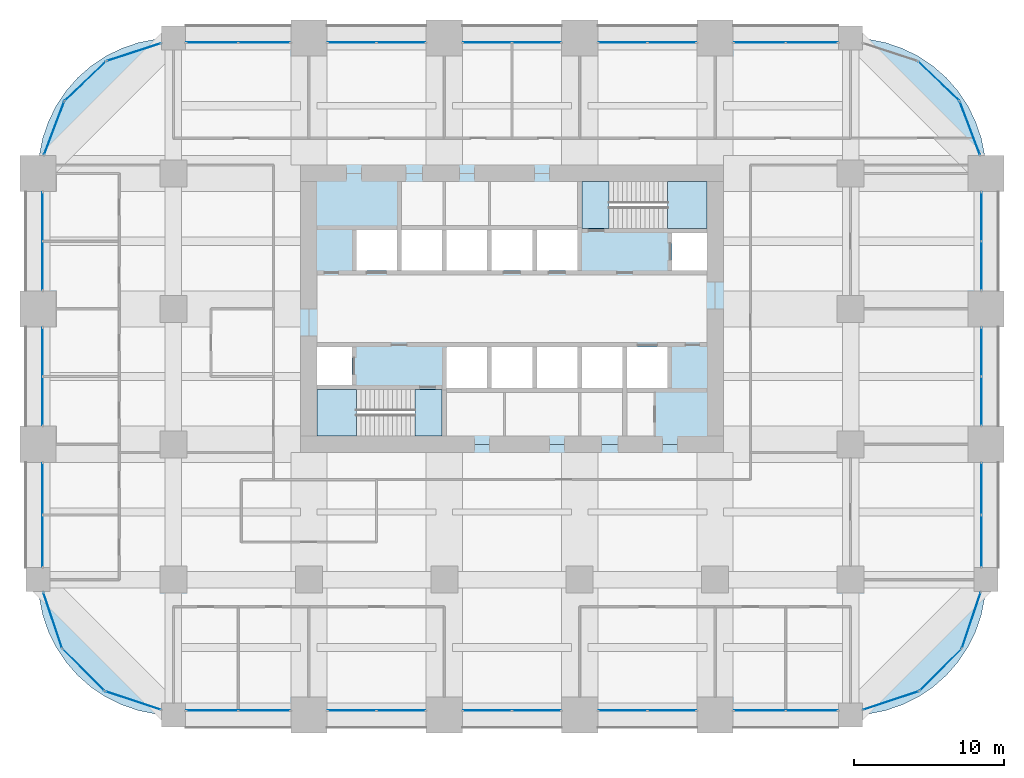
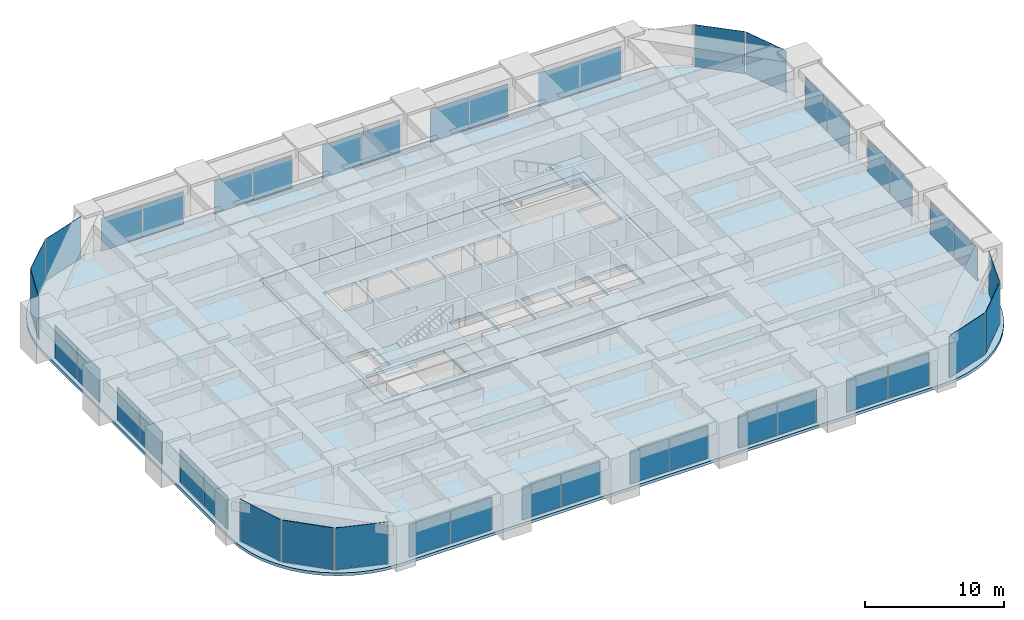
# One storey, part 37 of 43: 43 plates, 6 slabs, 29 elements without a shape of their own.
"""IFC4 building model written with IfcOpenShell, lengths in metres."""

from ifc_helpers import new_model, si_unit, direction, frame, origin, origin_2d, place, context, subcontext, project, spatial, polyline, rectangle, outline, extrude, material, layer, layer_set, type_object, element, aggregate, save


model = new_model("IFC4")

# Units and contexts
model_context = context("Model", 3, precision=1e-05, world=origin(), true_north=direction((0.0, 1.0)))
body_context = subcontext(model_context, "Body", "Model", "MODEL_VIEW")
ifc_project = project(units=[si_unit("LENGTHUNIT", "METRE"), si_unit("AREAUNIT", "SQUARE_METRE"), si_unit("VOLUMEUNIT", "CUBIC_METRE"), si_unit("PLANEANGLEUNIT", "RADIAN"), si_unit("MASSUNIT", "GRAM", prefix="KILO")], contexts=[model_context])

# Site, building, storey
site_placement = place(None, origin())
site = spatial("IfcSite", under=ifc_project, at=site_placement, CompositionType="ELEMENT")
building_placement = place(site_placement, origin())
building = spatial("IfcBuilding", under=site, at=building_placement, Name="Zorevar Civic Tower", CompositionType="ELEMENT")
storey_placement = place(building_placement, frame((0.0, 0.0, 145.0)))
storey = spatial("IfcBuildingStorey", under=building, at=storey_placement, Name="L35", CompositionType="ELEMENT", Elevation=145.0)

# Curtain wall, plates
ifc_material_1 = material(Name="Dark grey solar-control glass in black aluminium frame", Category="aluminium")
curtain_wall_type = type_object("IfcCurtainWallType", Name="Curtain wall CW3 mid zone", PredefinedType="NOTDEFINED", material=ifc_material_1)
curtain_wall_1_placement = place(storey_placement, origin())
curtain_wall_1 = element("IfcCurtainWall", 1, at=curtain_wall_1_placement, inside=storey, type_object=curtain_wall_type, Name="CW3 L35", PredefinedType="NOTDEFINED")
ifc_material_2 = material(Name="Dark grey solar-control glass", Category="glass")
ifc_layer_1 = layer(ifc_material_2, 0.030029296875)
ifc_layer_set_1 = layer_set([ifc_layer_1], Name="CW3 panel 30")
plate_type = type_object("IfcPlateType", Name="CW3 panel 30", PredefinedType="CURTAIN_PANEL", material=ifc_layer_set_1)
plate_1_placement = place(storey_placement, frame((11.56494140625, 0.300048828125, 0.06005859375), z_axis=(0.0, 0.0, 1.0), x_axis=(1.0, 0.0, 0.0)))
plate_1 = element("IfcPlate", 2, at=plate_1_placement, type_object=plate_type, Name="CW3 panel 1.1", PredefinedType="CURTAIN_PANEL", context=body_context, shape_type="SweptSolid", body=[
    extrude(rectangle(XDim=3.409912109375, YDim=0.030029296875, at=origin_2d()), origin(), (0.0, 0.0, 1.0), 2.889892578125),
])
plate_2_placement = place(storey_placement, frame((15.034912109375, 0.300048828125, 0.06005859375), z_axis=(0.0, 0.0, 1.0), x_axis=(1.0, 0.0, 0.0)))
plate_2 = element("IfcPlate", 3, at=plate_2_placement, type_object=plate_type, Name="CW3 panel 2.1", PredefinedType="CURTAIN_PANEL", context=body_context, shape_type="SweptSolid", body=[
    extrude(rectangle(XDim=3.409912109375, YDim=0.030029296875, at=origin_2d()), origin(), (0.0, 0.0, 1.0), 2.889892578125),
])
aggregate(curtain_wall_1, [plate_1, plate_2])

curtain_wall_2_placement = place(storey_placement, origin())
curtain_wall_2 = element("IfcCurtainWall", 4, at=curtain_wall_2_placement, inside=storey, type_object=curtain_wall_type, Name="CW3 L35", PredefinedType="NOTDEFINED")
plate_3_placement = place(storey_placement, frame((11.56494140625, 44.699951171875, 0.06005859375), z_axis=(0.0, 0.0, 1.0), x_axis=(1.0, 0.0, 0.0)))
plate_3 = element("IfcPlate", 5, at=plate_3_placement, type_object=plate_type, Name="CW3 panel 1.1", PredefinedType="CURTAIN_PANEL", context=body_context, shape_type="SweptSolid", body=[
    extrude(rectangle(XDim=3.409912109375, YDim=0.030029296875, at=origin_2d()), origin(), (0.0, 0.0, 1.0), 2.889892578125),
])
plate_4_placement = place(storey_placement, frame((15.034912109375, 44.699951171875, 0.06005859375), z_axis=(0.0, 0.0, 1.0), x_axis=(1.0, 0.0, 0.0)))
plate_4 = element("IfcPlate", 6, at=plate_4_placement, type_object=plate_type, Name="CW3 panel 2.1", PredefinedType="CURTAIN_PANEL", context=body_context, shape_type="SweptSolid", body=[
    extrude(rectangle(XDim=3.409912109375, YDim=0.030029296875, at=origin_2d()), origin(), (0.0, 0.0, 1.0), 2.889892578125),
])
aggregate(curtain_wall_2, [plate_3, plate_4])

curtain_wall_3_placement = place(storey_placement, origin())
curtain_wall_3 = element("IfcCurtainWall", 7, at=curtain_wall_3_placement, inside=storey, type_object=curtain_wall_type, Name="CW3 L35", PredefinedType="NOTDEFINED")
plate_5_placement = place(storey_placement, frame((20.864990234375, 0.300048828125, 0.06005859375), z_axis=(0.0, 0.0, 1.0), x_axis=(1.0, 0.0, 0.0)))
plate_5 = element("IfcPlate", 8, at=plate_5_placement, type_object=plate_type, Name="CW3 panel 1.1", PredefinedType="CURTAIN_PANEL", context=body_context, shape_type="SweptSolid", body=[
    extrude(rectangle(XDim=3.2099609375, YDim=0.030029296875, at=origin_2d()), origin(), (0.0, 0.0, 1.0), 2.889892578125),
])
plate_6_placement = place(storey_placement, frame((24.135009765625, 0.300048828125, 0.06005859375), z_axis=(0.0, 0.0, 1.0), x_axis=(1.0, 0.0, 0.0)))
plate_6 = element("IfcPlate", 9, at=plate_6_placement, type_object=plate_type, Name="CW3 panel 2.1", PredefinedType="CURTAIN_PANEL", context=body_context, shape_type="SweptSolid", body=[
    extrude(rectangle(XDim=3.2099609375, YDim=0.030029296875, at=origin_2d()), origin(), (0.0, 0.0, 1.0), 2.889892578125),
])
aggregate(curtain_wall_3, [plate_5, plate_6])

curtain_wall_4_placement = place(storey_placement, origin())
curtain_wall_4 = element("IfcCurtainWall", 10, at=curtain_wall_4_placement, inside=storey, type_object=curtain_wall_type, Name="CW3 L35", PredefinedType="NOTDEFINED")
plate_7_placement = place(storey_placement, frame((20.864990234375, 44.699951171875, 0.06005859375), z_axis=(0.0, 0.0, 1.0), x_axis=(1.0, 0.0, 0.0)))
plate_7 = element("IfcPlate", 11, at=plate_7_placement, type_object=plate_type, Name="CW3 panel 1.1", PredefinedType="CURTAIN_PANEL", context=body_context, shape_type="SweptSolid", body=[
    extrude(rectangle(XDim=3.2099609375, YDim=0.030029296875, at=origin_2d()), origin(), (0.0, 0.0, 1.0), 2.889892578125),
])
plate_8_placement = place(storey_placement, frame((24.135009765625, 44.699951171875, 0.06005859375), z_axis=(0.0, 0.0, 1.0), x_axis=(1.0, 0.0, 0.0)))
plate_8 = element("IfcPlate", 12, at=plate_8_placement, type_object=plate_type, Name="CW3 panel 2.1", PredefinedType="CURTAIN_PANEL", context=body_context, shape_type="SweptSolid", body=[
    extrude(rectangle(XDim=3.2099609375, YDim=0.030029296875, at=origin_2d()), origin(), (0.0, 0.0, 1.0), 2.889892578125),
])
aggregate(curtain_wall_4, [plate_7, plate_8])

curtain_wall_5_placement = place(storey_placement, origin())
curtain_wall_5 = element("IfcCurtainWall", 13, at=curtain_wall_5_placement, inside=storey, type_object=curtain_wall_type, Name="CW3 L35", PredefinedType="NOTDEFINED")
plate_9_placement = place(storey_placement, frame((29.864990234375, 0.300048828125, 0.06005859375), z_axis=(0.0, 0.0, 1.0), x_axis=(1.0, 0.0, 0.0)))
plate_9 = element("IfcPlate", 14, at=plate_9_placement, type_object=plate_type, Name="CW3 panel 1.1", PredefinedType="CURTAIN_PANEL", context=body_context, shape_type="SweptSolid", body=[
    extrude(rectangle(XDim=3.2099609375, YDim=0.030029296875, at=origin_2d()), origin(), (0.0, 0.0, 1.0), 2.889892578125),
])
plate_10_placement = place(storey_placement, frame((33.135009765625, 0.300048828125, 0.06005859375), z_axis=(0.0, 0.0, 1.0), x_axis=(1.0, 0.0, 0.0)))
plate_10 = element("IfcPlate", 15, at=plate_10_placement, type_object=plate_type, Name="CW3 panel 2.1", PredefinedType="CURTAIN_PANEL", context=body_context, shape_type="SweptSolid", body=[
    extrude(rectangle(XDim=3.2099609375, YDim=0.030029296875, at=origin_2d()), origin(), (0.0, 0.0, 1.0), 2.889892578125),
])
aggregate(curtain_wall_5, [plate_9, plate_10])

curtain_wall_6_placement = place(storey_placement, origin())
curtain_wall_6 = element("IfcCurtainWall", 16, at=curtain_wall_6_placement, inside=storey, type_object=curtain_wall_type, Name="CW3 L35", PredefinedType="NOTDEFINED")
plate_11_placement = place(storey_placement, frame((29.864990234375, 44.699951171875, 0.06005859375), z_axis=(0.0, 0.0, 1.0), x_axis=(1.0, 0.0, 0.0)))
plate_11 = element("IfcPlate", 17, at=plate_11_placement, type_object=plate_type, Name="CW3 panel 1.1", PredefinedType="CURTAIN_PANEL", context=body_context, shape_type="SweptSolid", body=[
    extrude(rectangle(XDim=3.2099609375, YDim=0.030029296875, at=origin_2d()), origin(), (0.0, 0.0, 1.0), 2.889892578125),
])
plate_12_placement = place(storey_placement, frame((33.135009765625, 44.699951171875, 0.06005859375), z_axis=(0.0, 0.0, 1.0), x_axis=(1.0, 0.0, 0.0)))
plate_12 = element("IfcPlate", 18, at=plate_12_placement, type_object=plate_type, Name="CW3 panel 2.1", PredefinedType="CURTAIN_PANEL", context=body_context, shape_type="SweptSolid", body=[
    extrude(rectangle(XDim=3.2099609375, YDim=0.030029296875, at=origin_2d()), origin(), (0.0, 0.0, 1.0), 2.889892578125),
])
aggregate(curtain_wall_6, [plate_11, plate_12])

curtain_wall_7_placement = place(storey_placement, origin())
curtain_wall_7 = element("IfcCurtainWall", 19, at=curtain_wall_7_placement, inside=storey, type_object=curtain_wall_type, Name="CW3 L35", PredefinedType="NOTDEFINED")
plate_13_placement = place(storey_placement, frame((38.864990234375, 0.300048828125, 0.06005859375), z_axis=(0.0, 0.0, 1.0), x_axis=(1.0, 0.0, 0.0)))
plate_13 = element("IfcPlate", 20, at=plate_13_placement, type_object=plate_type, Name="CW3 panel 1.1", PredefinedType="CURTAIN_PANEL", context=body_context, shape_type="SweptSolid", body=[
    extrude(rectangle(XDim=3.2099609375, YDim=0.030029296875, at=origin_2d()), origin(), (0.0, 0.0, 1.0), 2.889892578125),
])
plate_14_placement = place(storey_placement, frame((42.135009765625, 0.300048828125, 0.06005859375), z_axis=(0.0, 0.0, 1.0), x_axis=(1.0, 0.0, 0.0)))
plate_14 = element("IfcPlate", 21, at=plate_14_placement, type_object=plate_type, Name="CW3 panel 2.1", PredefinedType="CURTAIN_PANEL", context=body_context, shape_type="SweptSolid", body=[
    extrude(rectangle(XDim=3.2099609375, YDim=0.030029296875, at=origin_2d()), origin(), (0.0, 0.0, 1.0), 2.889892578125),
])
aggregate(curtain_wall_7, [plate_13, plate_14])

curtain_wall_8_placement = place(storey_placement, origin())
curtain_wall_8 = element("IfcCurtainWall", 22, at=curtain_wall_8_placement, inside=storey, type_object=curtain_wall_type, Name="CW3 L35", PredefinedType="NOTDEFINED")
plate_15_placement = place(storey_placement, frame((38.864990234375, 44.699951171875, 0.06005859375), z_axis=(0.0, 0.0, 1.0), x_axis=(1.0, 0.0, 0.0)))
plate_15 = element("IfcPlate", 23, at=plate_15_placement, type_object=plate_type, Name="CW3 panel 1.1", PredefinedType="CURTAIN_PANEL", context=body_context, shape_type="SweptSolid", body=[
    extrude(rectangle(XDim=3.2099609375, YDim=0.030029296875, at=origin_2d()), origin(), (0.0, 0.0, 1.0), 2.889892578125),
])
plate_16_placement = place(storey_placement, frame((42.135009765625, 44.699951171875, 0.06005859375), z_axis=(0.0, 0.0, 1.0), x_axis=(1.0, 0.0, 0.0)))
plate_16 = element("IfcPlate", 24, at=plate_16_placement, type_object=plate_type, Name="CW3 panel 2.1", PredefinedType="CURTAIN_PANEL", context=body_context, shape_type="SweptSolid", body=[
    extrude(rectangle(XDim=3.2099609375, YDim=0.030029296875, at=origin_2d()), origin(), (0.0, 0.0, 1.0), 2.889892578125),
])
aggregate(curtain_wall_8, [plate_15, plate_16])

curtain_wall_9_placement = place(storey_placement, origin())
curtain_wall_9 = element("IfcCurtainWall", 25, at=curtain_wall_9_placement, inside=storey, type_object=curtain_wall_type, Name="CW3 L35", PredefinedType="NOTDEFINED")
plate_17_placement = place(storey_placement, frame((47.965087890625, 0.300048828125, 0.06005859375), z_axis=(0.0, 0.0, 1.0), x_axis=(1.0, 0.0, 0.0)))
plate_17 = element("IfcPlate", 26, at=plate_17_placement, type_object=plate_type, Name="CW3 panel 1.1", PredefinedType="CURTAIN_PANEL", context=body_context, shape_type="SweptSolid", body=[
    extrude(rectangle(XDim=3.409912109375, YDim=0.030029296875, at=origin_2d()), origin(), (0.0, 0.0, 1.0), 2.889892578125),
])
plate_18_placement = place(storey_placement, frame((51.43505859375, 0.300048828125, 0.06005859375), z_axis=(0.0, 0.0, 1.0), x_axis=(1.0, 0.0, 0.0)))
plate_18 = element("IfcPlate", 27, at=plate_18_placement, type_object=plate_type, Name="CW3 panel 2.1", PredefinedType="CURTAIN_PANEL", context=body_context, shape_type="SweptSolid", body=[
    extrude(rectangle(XDim=3.409912109375, YDim=0.030029296875, at=origin_2d()), origin(), (0.0, 0.0, 1.0), 2.889892578125),
])
aggregate(curtain_wall_9, [plate_17, plate_18])

curtain_wall_10_placement = place(storey_placement, origin())
curtain_wall_10 = element("IfcCurtainWall", 28, at=curtain_wall_10_placement, inside=storey, type_object=curtain_wall_type, Name="CW3 L35", PredefinedType="NOTDEFINED")
plate_19_placement = place(storey_placement, frame((47.965087890625, 44.699951171875, 0.06005859375), z_axis=(0.0, 0.0, 1.0), x_axis=(1.0, 0.0, 0.0)))
plate_19 = element("IfcPlate", 29, at=plate_19_placement, type_object=plate_type, Name="CW3 panel 1.1", PredefinedType="CURTAIN_PANEL", context=body_context, shape_type="SweptSolid", body=[
    extrude(rectangle(XDim=3.409912109375, YDim=0.030029296875, at=origin_2d()), origin(), (0.0, 0.0, 1.0), 2.889892578125),
])
plate_20_placement = place(storey_placement, frame((51.43505859375, 44.699951171875, 0.06005859375), z_axis=(0.0, 0.0, 1.0), x_axis=(1.0, 0.0, 0.0)))
plate_20 = element("IfcPlate", 30, at=plate_20_placement, type_object=plate_type, Name="CW3 panel 2.1", PredefinedType="CURTAIN_PANEL", context=body_context, shape_type="SweptSolid", body=[
    extrude(rectangle(XDim=3.409912109375, YDim=0.030029296875, at=origin_2d()), origin(), (0.0, 0.0, 1.0), 2.889892578125),
])
aggregate(curtain_wall_10, [plate_19, plate_20])

curtain_wall_11_placement = place(storey_placement, origin())
curtain_wall_11 = element("IfcCurtainWall", 31, at=curtain_wall_11_placement, inside=storey, type_object=curtain_wall_type, Name="CW3 L35", PredefinedType="NOTDEFINED")
plate_21_placement = place(storey_placement, frame((0.300048828125, 11.56494140625, 0.06005859375), z_axis=(0.0, 0.0, 1.0), x_axis=(0.0, 1.0, 0.0)))
plate_21 = element("IfcPlate", 32, at=plate_21_placement, type_object=plate_type, Name="CW3 panel 1.1", PredefinedType="CURTAIN_PANEL", context=body_context, shape_type="SweptSolid", body=[
    extrude(rectangle(XDim=3.409912109375, YDim=0.030029296875, at=origin_2d()), origin(), (0.0, 0.0, 1.0), 2.889892578125),
])
plate_22_placement = place(storey_placement, frame((0.300048828125, 15.034912109375, 0.06005859375), z_axis=(0.0, 0.0, 1.0), x_axis=(0.0, 1.0, 0.0)))
plate_22 = element("IfcPlate", 33, at=plate_22_placement, type_object=plate_type, Name="CW3 panel 2.1", PredefinedType="CURTAIN_PANEL", context=body_context, shape_type="SweptSolid", body=[
    extrude(rectangle(XDim=3.409912109375, YDim=0.030029296875, at=origin_2d()), origin(), (0.0, 0.0, 1.0), 2.889892578125),
])
aggregate(curtain_wall_11, [plate_21, plate_22])

curtain_wall_12_placement = place(storey_placement, origin())
curtain_wall_12 = element("IfcCurtainWall", 34, at=curtain_wall_12_placement, inside=storey, type_object=curtain_wall_type, Name="CW3 L35", PredefinedType="NOTDEFINED")
plate_23_placement = place(storey_placement, frame((62.699951171875, 11.56494140625, 0.06005859375), z_axis=(0.0, 0.0, 1.0), x_axis=(0.0, 1.0, 0.0)))
plate_23 = element("IfcPlate", 35, at=plate_23_placement, type_object=plate_type, Name="CW3 panel 1.1", PredefinedType="CURTAIN_PANEL", context=body_context, shape_type="SweptSolid", body=[
    extrude(rectangle(XDim=3.409912109375, YDim=0.030029296875, at=origin_2d()), origin(), (0.0, 0.0, 1.0), 2.889892578125),
])
plate_24_placement = place(storey_placement, frame((62.699951171875, 15.034912109375, 0.06005859375), z_axis=(0.0, 0.0, 1.0), x_axis=(0.0, 1.0, 0.0)))
plate_24 = element("IfcPlate", 36, at=plate_24_placement, type_object=plate_type, Name="CW3 panel 2.1", PredefinedType="CURTAIN_PANEL", context=body_context, shape_type="SweptSolid", body=[
    extrude(rectangle(XDim=3.409912109375, YDim=0.030029296875, at=origin_2d()), origin(), (0.0, 0.0, 1.0), 2.889892578125),
])
aggregate(curtain_wall_12, [plate_23, plate_24])

curtain_wall_13_placement = place(storey_placement, origin())
curtain_wall_13 = element("IfcCurtainWall", 37, at=curtain_wall_13_placement, inside=storey, type_object=curtain_wall_type, Name="CW3 L35", PredefinedType="NOTDEFINED")
plate_25_placement = place(storey_placement, frame((0.300048828125, 20.864990234375, 0.06005859375), z_axis=(0.0, 0.0, 1.0), x_axis=(0.0, 1.0, 0.0)))
plate_25 = element("IfcPlate", 38, at=plate_25_placement, type_object=plate_type, Name="CW3 panel 1.1", PredefinedType="CURTAIN_PANEL", context=body_context, shape_type="SweptSolid", body=[
    extrude(rectangle(XDim=3.2099609375, YDim=0.030029296875, at=origin_2d()), origin(), (0.0, 0.0, 1.0), 2.889892578125),
])
plate_26_placement = place(storey_placement, frame((0.300048828125, 24.135009765625, 0.06005859375), z_axis=(0.0, 0.0, 1.0), x_axis=(0.0, 1.0, 0.0)))
plate_26 = element("IfcPlate", 39, at=plate_26_placement, type_object=plate_type, Name="CW3 panel 2.1", PredefinedType="CURTAIN_PANEL", context=body_context, shape_type="SweptSolid", body=[
    extrude(rectangle(XDim=3.2099609375, YDim=0.030029296875, at=origin_2d()), origin(), (0.0, 0.0, 1.0), 2.889892578125),
])
aggregate(curtain_wall_13, [plate_25, plate_26])

curtain_wall_14_placement = place(storey_placement, origin())
curtain_wall_14 = element("IfcCurtainWall", 40, at=curtain_wall_14_placement, inside=storey, type_object=curtain_wall_type, Name="CW3 L35", PredefinedType="NOTDEFINED")
plate_27_placement = place(storey_placement, frame((62.699951171875, 20.864990234375, 0.06005859375), z_axis=(0.0, 0.0, 1.0), x_axis=(0.0, 1.0, 0.0)))
plate_27 = element("IfcPlate", 41, at=plate_27_placement, type_object=plate_type, Name="CW3 panel 1.1", PredefinedType="CURTAIN_PANEL", context=body_context, shape_type="SweptSolid", body=[
    extrude(rectangle(XDim=3.2099609375, YDim=0.030029296875, at=origin_2d()), origin(), (0.0, 0.0, 1.0), 2.889892578125),
])
plate_28_placement = place(storey_placement, frame((62.699951171875, 24.135009765625, 0.06005859375), z_axis=(0.0, 0.0, 1.0), x_axis=(0.0, 1.0, 0.0)))
plate_28 = element("IfcPlate", 42, at=plate_28_placement, type_object=plate_type, Name="CW3 panel 2.1", PredefinedType="CURTAIN_PANEL", context=body_context, shape_type="SweptSolid", body=[
    extrude(rectangle(XDim=3.2099609375, YDim=0.030029296875, at=origin_2d()), origin(), (0.0, 0.0, 1.0), 2.889892578125),
])
aggregate(curtain_wall_14, [plate_27, plate_28])

curtain_wall_15_placement = place(storey_placement, origin())
curtain_wall_15 = element("IfcCurtainWall", 43, at=curtain_wall_15_placement, inside=storey, type_object=curtain_wall_type, Name="CW3 L35", PredefinedType="NOTDEFINED")
plate_29_placement = place(storey_placement, frame((0.300048828125, 29.864990234375, 0.06005859375), z_axis=(0.0, 0.0, 1.0), x_axis=(0.0, 1.0, 0.0)))
plate_29 = element("IfcPlate", 44, at=plate_29_placement, type_object=plate_type, Name="CW3 panel 1.1", PredefinedType="CURTAIN_PANEL", context=body_context, shape_type="SweptSolid", body=[
    extrude(rectangle(XDim=3.2099609375, YDim=0.030029296875, at=origin_2d()), origin(), (0.0, 0.0, 1.0), 2.889892578125),
])
plate_30_placement = place(storey_placement, frame((0.300048828125, 33.135009765625, 0.06005859375), z_axis=(0.0, 0.0, 1.0), x_axis=(0.0, 1.0, 0.0)))
plate_30 = element("IfcPlate", 45, at=plate_30_placement, type_object=plate_type, Name="CW3 panel 2.1", PredefinedType="CURTAIN_PANEL", context=body_context, shape_type="SweptSolid", body=[
    extrude(rectangle(XDim=3.2099609375, YDim=0.030029296875, at=origin_2d()), origin(), (0.0, 0.0, 1.0), 2.889892578125),
])
aggregate(curtain_wall_15, [plate_29, plate_30])

curtain_wall_16_placement = place(storey_placement, origin())
curtain_wall_16 = element("IfcCurtainWall", 46, at=curtain_wall_16_placement, inside=storey, type_object=curtain_wall_type, Name="CW3 L35", PredefinedType="NOTDEFINED")
plate_31_placement = place(storey_placement, frame((62.699951171875, 29.864990234375, 0.06005859375), z_axis=(0.0, 0.0, 1.0), x_axis=(0.0, 1.0, 0.0)))
plate_31 = element("IfcPlate", 47, at=plate_31_placement, type_object=plate_type, Name="CW3 panel 1.1", PredefinedType="CURTAIN_PANEL", context=body_context, shape_type="SweptSolid", body=[
    extrude(rectangle(XDim=3.2099609375, YDim=0.030029296875, at=origin_2d()), origin(), (0.0, 0.0, 1.0), 2.889892578125),
])
plate_32_placement = place(storey_placement, frame((62.699951171875, 33.135009765625, 0.06005859375), z_axis=(0.0, 0.0, 1.0), x_axis=(0.0, 1.0, 0.0)))
plate_32 = element("IfcPlate", 48, at=plate_32_placement, type_object=plate_type, Name="CW3 panel 2.1", PredefinedType="CURTAIN_PANEL", context=body_context, shape_type="SweptSolid", body=[
    extrude(rectangle(XDim=3.2099609375, YDim=0.030029296875, at=origin_2d()), origin(), (0.0, 0.0, 1.0), 2.889892578125),
])
aggregate(curtain_wall_16, [plate_31, plate_32])

# Curtain wall, plate
curtain_wall_17_placement = place(storey_placement, origin())
curtain_wall_17 = element("IfcCurtainWall", 49, at=curtain_wall_17_placement, inside=storey, type_object=curtain_wall_type, Name="CW3 L35", PredefinedType="NOTDEFINED")
plate_33_placement = place(storey_placement, frame((56.689453125, 0.9697265625, 0.06005859375), z_axis=(0.0, 0.0, 1.0), x_axis=(0.948227238701, 0.317592669603, 0.0)))
plate_33 = element("IfcPlate", 50, at=plate_33_placement, type_object=plate_type, Name="CW3 panel 1.1", PredefinedType="CURTAIN_PANEL", context=body_context, shape_type="SweptSolid", body=[
    extrude(rectangle(XDim=3.865478515625, YDim=0.030029296875, at=origin_2d()), origin(), (0.0, 0.0, 1.0), 3.68994140625),
])
aggregate(curtain_wall_17, [plate_33])

curtain_wall_18_placement = place(storey_placement, origin())
curtain_wall_18 = element("IfcCurtainWall", 51, at=curtain_wall_18_placement, inside=storey, type_object=curtain_wall_type, Name="CW3 L35", PredefinedType="NOTDEFINED")
plate_34_placement = place(storey_placement, frame((59.98828125, 3.01171875, 0.06005859375), z_axis=(0.0, 0.0, 1.0), x_axis=(0.707106781187, 0.707106781187, 0.0)))
plate_34 = element("IfcPlate", 52, at=plate_34_placement, type_object=plate_type, Name="CW3 panel 1.1", PredefinedType="CURTAIN_PANEL", context=body_context, shape_type="SweptSolid", body=[
    extrude(rectangle(XDim=3.865478515625, YDim=0.030029296875, at=origin_2d()), origin(), (0.0, 0.0, 1.0), 3.68994140625),
])
aggregate(curtain_wall_18, [plate_34])

curtain_wall_19_placement = place(storey_placement, origin())
curtain_wall_19 = element("IfcCurtainWall", 53, at=curtain_wall_19_placement, inside=storey, type_object=curtain_wall_type, Name="CW3 L35", PredefinedType="NOTDEFINED")
plate_35_placement = place(storey_placement, frame((62.0302734375, 6.310546875, 0.06005859375), z_axis=(0.0, 0.0, 1.0), x_axis=(0.317592669603, 0.948227238701, 0.0)))
plate_35 = element("IfcPlate", 54, at=plate_35_placement, type_object=plate_type, Name="CW3 panel 1.1", PredefinedType="CURTAIN_PANEL", context=body_context, shape_type="SweptSolid", body=[
    extrude(rectangle(XDim=3.865478515625, YDim=0.030029296875, at=origin_2d()), origin(), (0.0, 0.0, 1.0), 3.68994140625),
])
aggregate(curtain_wall_19, [plate_35])

curtain_wall_20_placement = place(storey_placement, origin())
curtain_wall_20 = element("IfcCurtainWall", 55, at=curtain_wall_20_placement, inside=storey, type_object=curtain_wall_type, Name="CW3 L35", PredefinedType="NOTDEFINED")
plate_36_placement = place(storey_placement, frame((61.9345703125, 39.002685546875, 0.06005859375), z_axis=(0.0, 0.0, 1.0), x_axis=(-0.353917722218, 0.935276561184, 0.0)))
plate_36 = element("IfcPlate", 56, at=plate_36_placement, type_object=plate_type, Name="CW3 panel 1.1", PredefinedType="CURTAIN_PANEL", context=body_context, shape_type="SweptSolid", body=[
    extrude(rectangle(XDim=3.734619140625, YDim=0.030029296875, at=origin_2d()), origin(), (0.0, 0.0, 1.0), 3.68994140625),
])
aggregate(curtain_wall_20, [plate_36])

curtain_wall_21_placement = place(storey_placement, origin())
curtain_wall_21 = element("IfcCurtainWall", 57, at=curtain_wall_21_placement, inside=storey, type_object=curtain_wall_type, Name="CW3 L35", PredefinedType="NOTDEFINED")
plate_37_placement = place(storey_placement, frame((59.8583984375, 42.13623046875, 0.06005859375), z_axis=(0.0, 0.0, 1.0), x_axis=(-0.723289117983, 0.690545329292, 0.0)))
plate_37 = element("IfcPlate", 58, at=plate_37_placement, type_object=plate_type, Name="CW3 panel 1.1", PredefinedType="CURTAIN_PANEL", context=body_context, shape_type="SweptSolid", body=[
    extrude(rectangle(XDim=3.734619140625, YDim=0.030029296875, at=origin_2d()), origin(), (0.0, 0.0, 1.0), 3.68994140625),
])
aggregate(curtain_wall_21, [plate_37])

curtain_wall_22_placement = place(storey_placement, origin())
curtain_wall_22 = element("IfcCurtainWall", 59, at=curtain_wall_22_placement, inside=storey, type_object=curtain_wall_type, Name="CW3 L35", PredefinedType="NOTDEFINED")
plate_38_placement = place(storey_placement, frame((6.36767578125, 44.065185546875, 0.06005859375), z_axis=(0.0, 0.0, 1.0), x_axis=(-0.950650706548, -0.310263169163, 0.0)))
plate_38 = element("IfcPlate", 60, at=plate_38_placement, type_object=plate_type, Name="CW3 panel 1.1", PredefinedType="CURTAIN_PANEL", context=body_context, shape_type="SweptSolid", body=[
    extrude(rectangle(XDim=3.734619140625, YDim=0.030029296875, at=origin_2d()), origin(), (0.0, 0.0, 1.0), 3.68994140625),
])
aggregate(curtain_wall_22, [plate_38])

curtain_wall_23_placement = place(storey_placement, origin())
curtain_wall_23 = element("IfcCurtainWall", 61, at=curtain_wall_23_placement, inside=storey, type_object=curtain_wall_type, Name="CW3 L35", PredefinedType="NOTDEFINED")
plate_39_placement = place(storey_placement, frame((3.1416015625, 42.13623046875, 0.06005859375), z_axis=(0.0, 0.0, 1.0), x_axis=(-0.723289117983, -0.690545329292, 0.0)))
plate_39 = element("IfcPlate", 62, at=plate_39_placement, type_object=plate_type, Name="CW3 panel 1.1", PredefinedType="CURTAIN_PANEL", context=body_context, shape_type="SweptSolid", body=[
    extrude(rectangle(XDim=3.734619140625, YDim=0.030029296875, at=origin_2d()), origin(), (0.0, 0.0, 1.0), 3.68994140625),
])
aggregate(curtain_wall_23, [plate_39])

curtain_wall_24_placement = place(storey_placement, origin())
curtain_wall_24 = element("IfcCurtainWall", 63, at=curtain_wall_24_placement, inside=storey, type_object=curtain_wall_type, Name="CW3 L35", PredefinedType="NOTDEFINED")
plate_40_placement = place(storey_placement, frame((1.0654296875, 39.002685546875, 0.06005859375), z_axis=(0.0, 0.0, 1.0), x_axis=(-0.353917722218, -0.935276561184, 0.0)))
plate_40 = element("IfcPlate", 64, at=plate_40_placement, type_object=plate_type, Name="CW3 panel 1.1", PredefinedType="CURTAIN_PANEL", context=body_context, shape_type="SweptSolid", body=[
    extrude(rectangle(XDim=3.734619140625, YDim=0.030029296875, at=origin_2d()), origin(), (0.0, 0.0, 1.0), 3.68994140625),
])
aggregate(curtain_wall_24, [plate_40])

curtain_wall_25_placement = place(storey_placement, origin())
curtain_wall_25 = element("IfcCurtainWall", 65, at=curtain_wall_25_placement, inside=storey, type_object=curtain_wall_type, Name="CW3 L35", PredefinedType="NOTDEFINED")
plate_41_placement = place(storey_placement, frame((0.9697265625, 6.310546875, 0.06005859375), z_axis=(0.0, 0.0, 1.0), x_axis=(0.317592669603, -0.948227238701, 0.0)))
plate_41 = element("IfcPlate", 66, at=plate_41_placement, type_object=plate_type, Name="CW3 panel 1.1", PredefinedType="CURTAIN_PANEL", context=body_context, shape_type="SweptSolid", body=[
    extrude(rectangle(XDim=3.865478515625, YDim=0.030029296875, at=origin_2d()), origin(), (0.0, 0.0, 1.0), 3.68994140625),
])
aggregate(curtain_wall_25, [plate_41])

curtain_wall_26_placement = place(storey_placement, origin())
curtain_wall_26 = element("IfcCurtainWall", 67, at=curtain_wall_26_placement, inside=storey, type_object=curtain_wall_type, Name="CW3 L35", PredefinedType="NOTDEFINED")
plate_42_placement = place(storey_placement, frame((3.01171875, 3.01171875, 0.06005859375), z_axis=(0.0, 0.0, 1.0), x_axis=(0.707106781187, -0.707106781187, 0.0)))
plate_42 = element("IfcPlate", 68, at=plate_42_placement, type_object=plate_type, Name="CW3 panel 1.1", PredefinedType="CURTAIN_PANEL", context=body_context, shape_type="SweptSolid", body=[
    extrude(rectangle(XDim=3.865478515625, YDim=0.030029296875, at=origin_2d()), origin(), (0.0, 0.0, 1.0), 3.68994140625),
])
aggregate(curtain_wall_26, [plate_42])

curtain_wall_27_placement = place(storey_placement, origin())
curtain_wall_27 = element("IfcCurtainWall", 69, at=curtain_wall_27_placement, inside=storey, type_object=curtain_wall_type, Name="CW3 L35", PredefinedType="NOTDEFINED")
plate_43_placement = place(storey_placement, frame((6.310546875, 0.9697265625, 0.06005859375), z_axis=(0.0, 0.0, 1.0), x_axis=(0.948227238701, -0.317592669603, 0.0)))
plate_43 = element("IfcPlate", 70, at=plate_43_placement, type_object=plate_type, Name="CW3 panel 1.1", PredefinedType="CURTAIN_PANEL", context=body_context, shape_type="SweptSolid", body=[
    extrude(rectangle(XDim=3.865478515625, YDim=0.030029296875, at=origin_2d()), origin(), (0.0, 0.0, 1.0), 3.68994140625),
])
aggregate(curtain_wall_27, [plate_43])

# Slabs
ifc_material_3 = material(Name="Concrete C40/50", Category="concrete")
ifc_layer_2 = layer(ifc_material_3, 0.25)
ifc_layer_set_2 = layer_set([ifc_layer_2], Name="Floor slab 250")
slab_type_1 = type_object("IfcSlabType", Name="Floor slab 250", PredefinedType="FLOOR", material=ifc_layer_set_2)
slab_1_placement = place(storey_placement, frame((0.0, 0.0, -0.25)))
element("IfcSlab", 71, at=slab_1_placement, inside=storey, type_object=slab_type_1, Name="Floor slab L35", PredefinedType="FLOOR", context=body_context, shape_type="SweptSolid", body=[
    extrude(outline(polyline([(54.0, 0.0), (55.1748046875, 0.076904296875), (56.329345703125, 0.306640625), (57.444091796875, 0.68505859375), (58.5, 1.205810546875), (59.478759765625, 1.85986328125), (60.364013671875, 2.635986328125), (61.14013671875, 3.521240234375), (61.794189453125, 4.5), (62.31494140625, 5.555908203125), (62.693359375, 6.670654296875), (62.923095703125, 7.8251953125), (63.0, 9.0), (63.0, 36.0), (62.923095703125, 37.1748046875), (62.693359375, 38.329345703125), (62.31494140625, 39.444091796875), (61.794189453125, 40.5), (61.14013671875, 41.478759765625), (60.364013671875, 42.364013671875), (59.478759765625, 43.14013671875), (58.5, 43.794189453125), (57.444091796875, 44.31494140625), (56.329345703125, 44.693359375), (55.1748046875, 44.923095703125), (54.0, 45.0), (9.0, 45.0), (7.8251953125, 44.923095703125), (6.670654296875, 44.693359375), (5.555908203125, 44.31494140625), (4.5, 43.794189453125), (3.521240234375, 43.14013671875), (2.635986328125, 42.364013671875), (1.85986328125, 41.478759765625), (1.205810546875, 40.5), (0.68505859375, 39.444091796875), (0.306640625, 38.329345703125), (0.076904296875, 37.1748046875), (0.0, 36.0), (0.0, 9.0), (0.076904296875, 7.8251953125), (0.306640625, 6.670654296875), (0.68505859375, 5.555908203125), (1.205810546875, 4.5), (1.85986328125, 3.521240234375), (2.635986328125, 2.635986328125), (3.521240234375, 1.85986328125), (4.5, 1.205810546875), (5.555908203125, 0.68505859375), (6.670654296875, 0.306640625), (7.8251953125, 0.076904296875), (9.0, 0.0), (54.0, 0.0)]), holes=[polyline([(18.0, 18.0), (45.0, 18.0), (45.0, 36.0), (18.0, 36.0), (18.0, 18.0)])]), origin(), (0.0, 0.0, 1.0), 0.25),
])
slab_2_placement = place(storey_placement, frame((0.0, 0.0, -0.25)))
element("IfcSlab", 72, at=slab_2_placement, inside=storey, type_object=slab_type_1, Name="Core floor L35", PredefinedType="FLOOR", context=body_context, shape_type="SweptSolid", body=[
    extrude(outline(polyline([(18.0, 18.0), (45.0, 18.0), (45.0, 36.0), (18.0, 36.0), (18.0, 18.0)]), holes=[polyline([(18.550048828125, 18.550048828125), (26.85009765625, 18.550048828125), (26.85009765625, 21.64990234375), (18.550048828125, 21.64990234375), (18.550048828125, 18.550048828125)]), polyline([(36.14990234375, 32.35009765625), (44.449951171875, 32.35009765625), (44.449951171875, 35.449951171875), (36.14990234375, 35.449951171875), (36.14990234375, 32.35009765625)]), polyline([(18.550048828125, 21.949951171875), (20.85009765625, 21.949951171875), (20.85009765625, 24.449951171875), (18.550048828125, 24.449951171875), (18.550048828125, 21.949951171875)]), polyline([(42.14990234375, 29.550048828125), (44.449951171875, 29.550048828125), (44.449951171875, 32.050048828125), (42.14990234375, 32.050048828125), (42.14990234375, 29.550048828125)]), polyline([(27.14990234375, 21.75), (29.85009765625, 21.75), (29.85009765625, 24.449951171875), (27.14990234375, 24.449951171875), (27.14990234375, 21.75)]), polyline([(33.14990234375, 29.550048828125), (35.85009765625, 29.550048828125), (35.85009765625, 32.25), (33.14990234375, 32.25), (33.14990234375, 29.550048828125)]), polyline([(30.14990234375, 21.75), (32.85009765625, 21.75), (32.85009765625, 24.449951171875), (30.14990234375, 24.449951171875), (30.14990234375, 21.75)]), polyline([(30.14990234375, 29.550048828125), (32.85009765625, 29.550048828125), (32.85009765625, 32.25), (30.14990234375, 32.25), (30.14990234375, 29.550048828125)]), polyline([(33.14990234375, 21.75), (35.85009765625, 21.75), (35.85009765625, 24.449951171875), (33.14990234375, 24.449951171875), (33.14990234375, 21.75)]), polyline([(27.14990234375, 29.550048828125), (29.85009765625, 29.550048828125), (29.85009765625, 32.25), (27.14990234375, 32.25), (27.14990234375, 29.550048828125)]), polyline([(36.14990234375, 21.75), (38.85009765625, 21.75), (38.85009765625, 24.449951171875), (36.14990234375, 24.449951171875), (36.14990234375, 21.75)]), polyline([(24.14990234375, 29.550048828125), (26.85009765625, 29.550048828125), (26.85009765625, 32.25), (24.14990234375, 32.25), (24.14990234375, 29.550048828125)]), polyline([(39.14990234375, 21.75), (41.85009765625, 21.75), (41.85009765625, 24.449951171875), (39.14990234375, 24.449951171875), (39.14990234375, 21.75)]), polyline([(21.14990234375, 29.550048828125), (23.85009765625, 29.550048828125), (23.85009765625, 32.25), (21.14990234375, 32.25), (21.14990234375, 29.550048828125)])]), origin(), (0.0, 0.0, 1.0), 0.25),
])

# Stair, slabs
ifc_material_4 = material(Name="Precast concrete C40/50", Category="concrete")
stair_type = type_object("IfcStairType", Name="Stair ST 28R", PredefinedType="HALF_TURN_STAIR", material=ifc_material_4)
stair_1_placement = place(storey_placement, origin())
stair_1 = element("IfcStair", 73, at=stair_1_placement, inside=storey, type_object=stair_type, Name="Stair ST1 L35", PredefinedType="HALF_TURN_STAIR")
ifc_material_5 = material(Name="Concrete C40/50", Category="concrete")
ifc_layer_3 = layer(ifc_material_5, 0.199951171875)
ifc_layer_set_3 = layer_set([ifc_layer_3], Name="Stair landing 200")
slab_type_2 = type_object("IfcSlabType", Name="Stair landing 200", PredefinedType="LANDING", material=ifc_layer_set_3)
slab_3_placement = place(storey_placement, frame((0.0, 0.0, -0.199951171875)))
slab_3 = element("IfcSlab", 74, at=slab_3_placement, type_object=slab_type_2, Name="ST1 landing 1", PredefinedType="LANDING", context=body_context, shape_type="SweptSolid", body=[
    extrude(outline(polyline([(25.050048828125, 18.550048828125), (26.85009765625, 18.550048828125), (26.85009765625, 21.64990234375), (25.050048828125, 21.64990234375), (25.050048828125, 18.550048828125)])), origin(), (0.0, 0.0, 1.0), 0.199951171875),
])
slab_4_placement = place(storey_placement, frame((0.0, 0.0, 1.800048828125)))
slab_4 = element("IfcSlab", 75, at=slab_4_placement, type_object=slab_type_2, Name="ST1 landing 2", PredefinedType="LANDING", context=body_context, shape_type="SweptSolid", body=[
    extrude(outline(polyline([(18.550048828125, 18.550048828125), (21.14990234375, 18.550048828125), (21.14990234375, 21.64990234375), (18.550048828125, 21.64990234375), (18.550048828125, 18.550048828125)])), origin(), (0.0, 0.0, 1.0), 0.199951171875),
])
aggregate(stair_1, [slab_3, slab_4])

stair_2_placement = place(storey_placement, origin())
stair_2 = element("IfcStair", 76, at=stair_2_placement, inside=storey, type_object=stair_type, Name="Stair ST2 L35", PredefinedType="HALF_TURN_STAIR")
slab_5_placement = place(storey_placement, frame((0.0, 0.0, -0.199951171875)))
slab_5 = element("IfcSlab", 77, at=slab_5_placement, type_object=slab_type_2, Name="ST2 landing 1", PredefinedType="LANDING", context=body_context, shape_type="SweptSolid", body=[
    extrude(outline(polyline([(37.949951171875, 32.35009765625), (36.14990234375, 32.35009765625), (36.14990234375, 35.449951171875), (37.949951171875, 35.449951171875), (37.949951171875, 32.35009765625)])), origin(), (0.0, 0.0, 1.0), 0.199951171875),
])
slab_6_placement = place(storey_placement, frame((0.0, 0.0, 1.800048828125)))
slab_6 = element("IfcSlab", 78, at=slab_6_placement, type_object=slab_type_2, Name="ST2 landing 2", PredefinedType="LANDING", context=body_context, shape_type="SweptSolid", body=[
    extrude(outline(polyline([(44.449951171875, 32.35009765625), (41.85009765625, 32.35009765625), (41.85009765625, 35.449951171875), (44.449951171875, 35.449951171875), (44.449951171875, 32.35009765625)])), origin(), (0.0, 0.0, 1.0), 0.199951171875),
])
aggregate(stair_2, [slab_5, slab_6])

save(model, "model.ifc")
